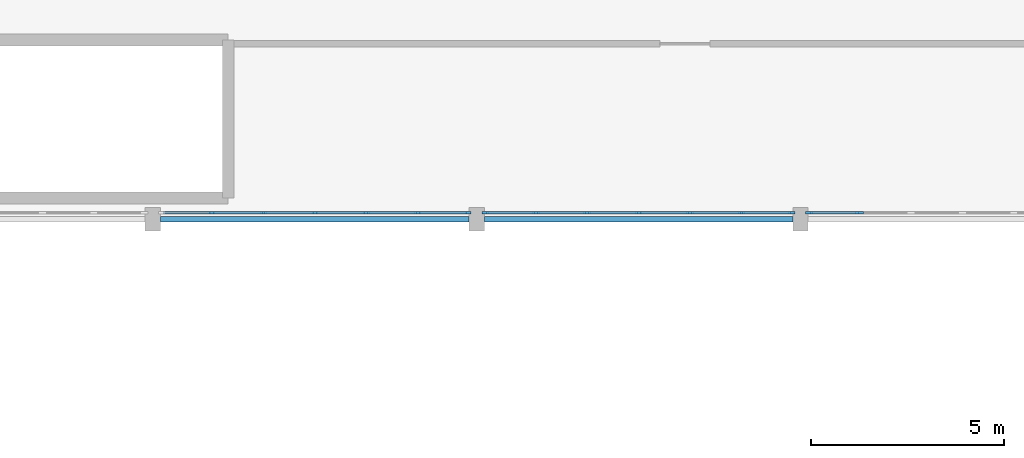
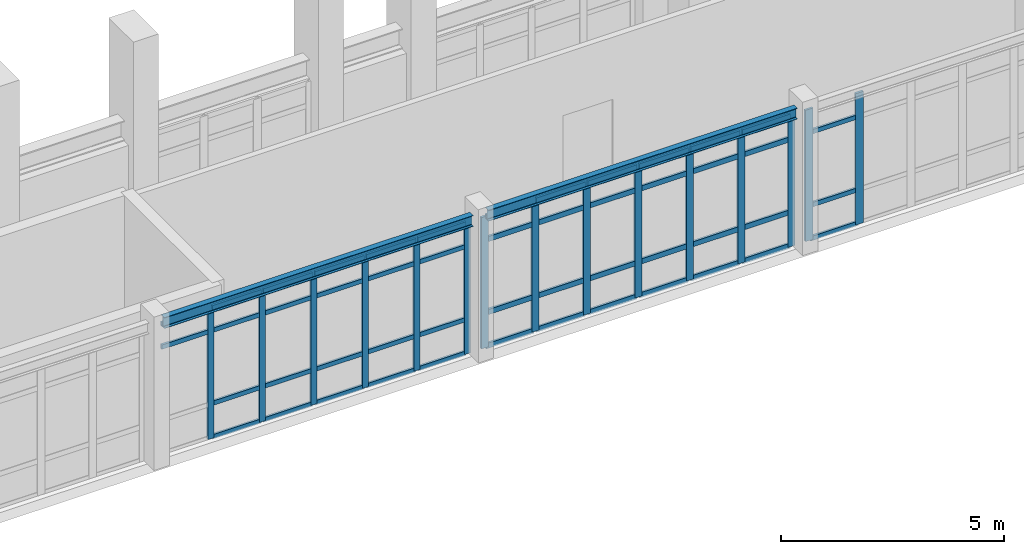
# One storey, part 81 of 147: 64 members, 2 beams, 3 elements without a shape of their own.
"""IFC4 building model written with IfcOpenShell, lengths in metres."""

from ifc_helpers import new_model, si_unit, direction, frame, origin, origin_2d, place, context, subcontext, project, spatial, rectangle, i_section, extrude, material, material_profile, profile_set, type_object, element, aggregate, save


model = new_model("IFC4")

# Units and contexts
model_context = context("Model", 3, precision=1e-05, world=origin(), true_north=direction((0.0, 1.0)))
body_context = subcontext(model_context, "Body", "Model", "MODEL_VIEW")
ifc_project = project(units=[si_unit("LENGTHUNIT", "METRE"), si_unit("AREAUNIT", "SQUARE_METRE"), si_unit("VOLUMEUNIT", "CUBIC_METRE"), si_unit("PLANEANGLEUNIT", "RADIAN"), si_unit("MASSUNIT", "GRAM", prefix="KILO")], contexts=[model_context])

# Site, building, storey
site_placement = place(None, origin())
site = spatial("IfcSite", under=ifc_project, at=site_placement, CompositionType="ELEMENT")
building_placement = place(site_placement, origin())
building = spatial("IfcBuilding", under=site, at=building_placement, Name="Malvenik Polytechnic", CompositionType="ELEMENT")
storey_placement = place(building_placement, frame((0.0, 0.0, 5.10009765625)))
storey = spatial("IfcBuildingStorey", under=building, at=storey_placement, Name="L01", CompositionType="ELEMENT", Elevation=5.10009765625)

# Curtain wall, members
ifc_material_1 = material(Name="Anodised aluminium 6060-T6", Category="aluminium")
curtain_wall_type = type_object("IfcCurtainWallType", Name="ARC-CW-CW-02", PredefinedType="NOTDEFINED", material=ifc_material_1)
curtain_wall_1_placement = place(storey_placement, origin())
curtain_wall_1 = element("IfcCurtainWall", 1, at=curtain_wall_1_placement, inside=storey, type_object=curtain_wall_type, Name="Unitised Curtain Wall CW-02 L01 #107", PredefinedType="NOTDEFINED")
ifc_material_2 = material(Name="Anodised aluminium", Category="aluminium")
ifc_material_profile_1 = material_profile(ifc_material_2, rectangle(XDim=0.06005859375, YDim=0.159912109375, at=origin_2d()), Name="ALU MULLION 60x160")
ifc_profile_set_1 = profile_set([ifc_material_profile_1], Name="Anodised aluminium")
member_type_1 = type_object("IfcMemberType", Name="ARC-CWM-160", PredefinedType="MULLION", material=ifc_profile_set_1)
member_1_placement = place(storey_placement, frame((167.77197265625, 28.969970703125, 0.0), z_axis=(0.0, 0.0, 1.0), x_axis=(0.0, -1.0, 0.0)))
member_1 = element("IfcMember", 2, at=member_1_placement, type_object=member_type_1, Name="CW-02 mullion 1", PredefinedType="MULLION", context=body_context, shape_type="SweptSolid", body=[
    extrude(rectangle(XDim=0.06005859375, YDim=0.159912109375, at=origin_2d()), origin(), (0.0, 0.0, 1.0), 3.597900390625),
])
member_2_placement = place(storey_placement, frame((166.468017578125, 28.969970703125, 0.0), z_axis=(0.0, 0.0, 1.0), x_axis=(0.0, -1.0, 0.0)))
member_2 = element("IfcMember", 3, at=member_2_placement, type_object=member_type_1, Name="CW-02 mullion 2", PredefinedType="MULLION", context=body_context, shape_type="SweptSolid", body=[
    extrude(rectangle(XDim=0.06005859375, YDim=0.159912109375, at=origin_2d()), origin(), (0.0, 0.0, 1.0), 3.597900390625),
])
member_3_placement = place(storey_placement, frame((165.134033203125, 28.969970703125, 0.0), z_axis=(0.0, 0.0, 1.0), x_axis=(0.0, -1.0, 0.0)))
member_3 = element("IfcMember", 4, at=member_3_placement, type_object=member_type_1, Name="CW-02 mullion 3", PredefinedType="MULLION", context=body_context, shape_type="SweptSolid", body=[
    extrude(rectangle(XDim=0.06005859375, YDim=0.159912109375, at=origin_2d()), origin(), (0.0, 0.0, 1.0), 3.597900390625),
])
member_4_placement = place(storey_placement, frame((163.800048828125, 28.969970703125, 0.0), z_axis=(0.0, 0.0, 1.0), x_axis=(0.0, -1.0, 0.0)))
member_4 = element("IfcMember", 5, at=member_4_placement, type_object=member_type_1, Name="CW-02 mullion 4", PredefinedType="MULLION", context=body_context, shape_type="SweptSolid", body=[
    extrude(rectangle(XDim=0.06005859375, YDim=0.159912109375, at=origin_2d()), origin(), (0.0, 0.0, 1.0), 3.597900390625),
])
member_5_placement = place(storey_placement, frame((162.466064453125, 28.969970703125, 0.0), z_axis=(0.0, 0.0, 1.0), x_axis=(0.0, -1.0, 0.0)))
member_5 = element("IfcMember", 6, at=member_5_placement, type_object=member_type_1, Name="CW-02 mullion 5", PredefinedType="MULLION", context=body_context, shape_type="SweptSolid", body=[
    extrude(rectangle(XDim=0.06005859375, YDim=0.159912109375, at=origin_2d()), origin(), (0.0, 0.0, 1.0), 3.597900390625),
])
member_6_placement = place(storey_placement, frame((161.132080078125, 28.969970703125, 0.0), z_axis=(0.0, 0.0, 1.0), x_axis=(0.0, -1.0, 0.0)))
member_6 = element("IfcMember", 7, at=member_6_placement, type_object=member_type_1, Name="CW-02 mullion 6", PredefinedType="MULLION", context=body_context, shape_type="SweptSolid", body=[
    extrude(rectangle(XDim=0.06005859375, YDim=0.159912109375, at=origin_2d()), origin(), (0.0, 0.0, 1.0), 3.597900390625),
])

curtain_wall_2_placement = place(storey_placement, origin())
curtain_wall_2 = element("IfcCurtainWall", 8, at=curtain_wall_2_placement, inside=storey, type_object=curtain_wall_type, Name="Unitised Curtain Wall CW-02 L01 #106", PredefinedType="NOTDEFINED")
ifc_material_profile_2 = material_profile(ifc_material_2, rectangle(XDim=0.06005859375, YDim=0.179931640625, at=origin_2d()), Name="ALU MULLION 60x180")
ifc_profile_set_2 = profile_set([ifc_material_profile_2], Name="Anodised aluminium")
member_type_2 = type_object("IfcMemberType", Name="ARC-CWM-180", PredefinedType="MULLION", material=ifc_profile_set_2)
member_7_placement = place(storey_placement, frame((176.172119140625, 28.969970703125, 0.0), z_axis=(0.0, 0.0, 1.0), x_axis=(0.0, -1.0, 0.0)))
member_7 = element("IfcMember", 9, at=member_7_placement, type_object=member_type_2, Name="CW-02 mullion 1", PredefinedType="MULLION", context=body_context, shape_type="SweptSolid", body=[
    extrude(rectangle(XDim=0.06005859375, YDim=0.179931640625, at=origin_2d()), origin(), (0.0, 0.0, 1.0), 3.597900390625),
])
member_8_placement = place(storey_placement, frame((174.867919921875, 28.969970703125, 0.0), z_axis=(0.0, 0.0, 1.0), x_axis=(0.0, -1.0, 0.0)))
member_8 = element("IfcMember", 10, at=member_8_placement, type_object=member_type_2, Name="CW-02 mullion 2", PredefinedType="MULLION", context=body_context, shape_type="SweptSolid", body=[
    extrude(rectangle(XDim=0.06005859375, YDim=0.179931640625, at=origin_2d()), origin(), (0.0, 0.0, 1.0), 3.597900390625),
])
member_9_placement = place(storey_placement, frame((173.533935546875, 28.969970703125, 0.0), z_axis=(0.0, 0.0, 1.0), x_axis=(0.0, -1.0, 0.0)))
member_9 = element("IfcMember", 11, at=member_9_placement, type_object=member_type_2, Name="CW-02 mullion 3", PredefinedType="MULLION", context=body_context, shape_type="SweptSolid", body=[
    extrude(rectangle(XDim=0.06005859375, YDim=0.179931640625, at=origin_2d()), origin(), (0.0, 0.0, 1.0), 3.597900390625),
])
member_10_placement = place(storey_placement, frame((172.199951171875, 28.969970703125, 0.0), z_axis=(0.0, 0.0, 1.0), x_axis=(0.0, -1.0, 0.0)))
member_10 = element("IfcMember", 12, at=member_10_placement, type_object=member_type_2, Name="CW-02 mullion 4", PredefinedType="MULLION", context=body_context, shape_type="SweptSolid", body=[
    extrude(rectangle(XDim=0.06005859375, YDim=0.179931640625, at=origin_2d()), origin(), (0.0, 0.0, 1.0), 3.597900390625),
])
member_11_placement = place(storey_placement, frame((170.865966796875, 28.969970703125, 0.0), z_axis=(0.0, 0.0, 1.0), x_axis=(0.0, -1.0, 0.0)))
member_11 = element("IfcMember", 13, at=member_11_placement, type_object=member_type_2, Name="CW-02 mullion 5", PredefinedType="MULLION", context=body_context, shape_type="SweptSolid", body=[
    extrude(rectangle(XDim=0.06005859375, YDim=0.179931640625, at=origin_2d()), origin(), (0.0, 0.0, 1.0), 3.597900390625),
])
member_12_placement = place(storey_placement, frame((169.531982421875, 28.969970703125, 0.0), z_axis=(0.0, 0.0, 1.0), x_axis=(0.0, -1.0, 0.0)))
member_12 = element("IfcMember", 14, at=member_12_placement, type_object=member_type_2, Name="CW-02 mullion 6", PredefinedType="MULLION", context=body_context, shape_type="SweptSolid", body=[
    extrude(rectangle(XDim=0.06005859375, YDim=0.179931640625, at=origin_2d()), origin(), (0.0, 0.0, 1.0), 3.597900390625),
])
member_13_placement = place(storey_placement, frame((168.22802734375, 28.969970703125, 0.0), z_axis=(0.0, 0.0, 1.0), x_axis=(0.0, -1.0, 0.0)))
member_13 = element("IfcMember", 15, at=member_13_placement, type_object=member_type_2, Name="CW-02 mullion 7", PredefinedType="MULLION", context=body_context, shape_type="SweptSolid", body=[
    extrude(rectangle(XDim=0.06005859375, YDim=0.179931640625, at=origin_2d()), origin(), (0.0, 0.0, 1.0), 3.597900390625),
])

curtain_wall_3_placement = place(storey_placement, origin())
curtain_wall_3 = element("IfcCurtainWall", 16, at=curtain_wall_3_placement, inside=storey, type_object=curtain_wall_type, Name="Unitised Curtain Wall CW-02 L01 #105", PredefinedType="NOTDEFINED")
ifc_material_profile_3 = material_profile(ifc_material_2, rectangle(XDim=0.06005859375, YDim=0.199951171875, at=origin_2d()), Name="ALU MULLION 60x200")
ifc_profile_set_3 = profile_set([ifc_material_profile_3], Name="Anodised aluminium")
member_type_3 = type_object("IfcMemberType", Name="ARC-CWM-200", PredefinedType="MULLION", material=ifc_profile_set_3)
member_14_placement = place(storey_placement, frame((177.931884765625, 28.969970703125, 0.0), z_axis=(0.0, 0.0, 1.0), x_axis=(0.0, -1.0, 0.0)))
member_14 = element("IfcMember", 17, at=member_14_placement, type_object=member_type_3, Name="CW-02 mullion 6", PredefinedType="MULLION", context=body_context, shape_type="SweptSolid", body=[
    extrude(rectangle(XDim=0.06005859375, YDim=0.199951171875, at=origin_2d()), origin(), (0.0, 0.0, 1.0), 3.597900390625),
])
member_15_placement = place(storey_placement, frame((176.6279296875, 28.969970703125, 0.0), z_axis=(0.0, 0.0, 1.0), x_axis=(0.0, -1.0, 0.0)))
member_15 = element("IfcMember", 18, at=member_15_placement, type_object=member_type_3, Name="CW-02 mullion 7", PredefinedType="MULLION", context=body_context, shape_type="SweptSolid", body=[
    extrude(rectangle(XDim=0.06005859375, YDim=0.199951171875, at=origin_2d()), origin(), (0.0, 0.0, 1.0), 3.597900390625),
])
ifc_material_profile_4 = material_profile(ifc_material_2, rectangle(XDim=0.06005859375, YDim=0.1201171875, at=origin_2d()), Name="ALU TRANSOM 60x120")
ifc_profile_set_4 = profile_set([ifc_material_profile_4], Name="Anodised aluminium")
member_type_4 = type_object("IfcMemberType", Name="ARC-CWT-120", PredefinedType="USERDEFINED", material=ifc_profile_set_4)
member_16_placement = place(storey_placement, frame((177.902099609375, 28.969970703125, 0.02978515625), z_axis=(-1.0, 0.0, 0.0), x_axis=(0.0, -1.0, 0.0)))
member_16 = element("IfcMember", 19, at=member_16_placement, type_object=member_type_4, Name="CW-02 transom 6.1", ObjectType="TRANSOM", PredefinedType="USERDEFINED", context=body_context, shape_type="SweptSolid", body=[
    extrude(rectangle(XDim=0.06005859375, YDim=0.1201171875, at=origin_2d()), origin(), (0.0, 0.0, 1.0), 1.244140625),
])
member_17_placement = place(storey_placement, frame((177.902099609375, 28.969970703125, 0.949951171875), z_axis=(-1.0, 0.0, 0.0), x_axis=(0.0, -1.0, 0.0)))
member_17 = element("IfcMember", 20, at=member_17_placement, type_object=member_type_4, Name="CW-02 transom 6.2", ObjectType="TRANSOM", PredefinedType="USERDEFINED", context=body_context, shape_type="SweptSolid", body=[
    extrude(rectangle(XDim=0.06005859375, YDim=0.1201171875, at=origin_2d()), origin(), (0.0, 0.0, 1.0), 1.244140625),
])
member_18_placement = place(storey_placement, frame((177.902099609375, 28.969970703125, 2.947998046875), z_axis=(-1.0, 0.0, 0.0), x_axis=(0.0, -1.0, 0.0)))
member_18 = element("IfcMember", 21, at=member_18_placement, type_object=member_type_4, Name="CW-02 transom 6.3", ObjectType="TRANSOM", PredefinedType="USERDEFINED", context=body_context, shape_type="SweptSolid", body=[
    extrude(rectangle(XDim=0.06005859375, YDim=0.1201171875, at=origin_2d()), origin(), (0.0, 0.0, 1.0), 1.244140625),
])
aggregate(curtain_wall_3, [member_14, member_15, member_16, member_17, member_18])

# Member
member_19_placement = place(storey_placement, frame((167.741943359375, 28.969970703125, 0.02978515625), z_axis=(-1.0, 0.0, 0.0), x_axis=(0.0, -1.0, 0.0)))
member_19 = element("IfcMember", 22, at=member_19_placement, type_object=member_type_4, Name="CW-02 transom 1.1", ObjectType="TRANSOM", PredefinedType="USERDEFINED", context=body_context, shape_type="SweptSolid", body=[
    extrude(rectangle(XDim=0.06005859375, YDim=0.1201171875, at=origin_2d()), origin(), (0.0, 0.0, 1.0), 1.243896484375),
])

member_20_placement = place(storey_placement, frame((167.741943359375, 28.969970703125, 0.949951171875), z_axis=(-1.0, 0.0, 0.0), x_axis=(0.0, -1.0, 0.0)))
member_20 = element("IfcMember", 23, at=member_20_placement, type_object=member_type_4, Name="CW-02 transom 1.2", ObjectType="TRANSOM", PredefinedType="USERDEFINED", context=body_context, shape_type="SweptSolid", body=[
    extrude(rectangle(XDim=0.06005859375, YDim=0.1201171875, at=origin_2d()), origin(), (0.0, 0.0, 1.0), 1.243896484375),
])

member_21_placement = place(storey_placement, frame((167.741943359375, 28.969970703125, 2.947998046875), z_axis=(-1.0, 0.0, 0.0), x_axis=(0.0, -1.0, 0.0)))
member_21 = element("IfcMember", 24, at=member_21_placement, type_object=member_type_4, Name="CW-02 transom 1.3", ObjectType="TRANSOM", PredefinedType="USERDEFINED", context=body_context, shape_type="SweptSolid", body=[
    extrude(rectangle(XDim=0.06005859375, YDim=0.1201171875, at=origin_2d()), origin(), (0.0, 0.0, 1.0), 1.243896484375),
])

member_22_placement = place(storey_placement, frame((167.741943359375, 28.969970703125, 3.56787109375), z_axis=(-1.0, 0.0, 0.0), x_axis=(0.0, -1.0, 0.0)))
member_22 = element("IfcMember", 25, at=member_22_placement, type_object=member_type_4, Name="CW-02 transom 1.4", ObjectType="TRANSOM", PredefinedType="USERDEFINED", context=body_context, shape_type="SweptSolid", body=[
    extrude(rectangle(XDim=0.06005859375, YDim=0.1201171875, at=origin_2d()), origin(), (0.0, 0.0, 1.0), 1.243896484375),
])

member_23_placement = place(storey_placement, frame((166.43798828125, 28.969970703125, 0.02978515625), z_axis=(-1.0, 0.0, 0.0), x_axis=(0.0, -1.0, 0.0)))
member_23 = element("IfcMember", 26, at=member_23_placement, type_object=member_type_4, Name="CW-02 transom 2.1", ObjectType="TRANSOM", PredefinedType="USERDEFINED", context=body_context, shape_type="SweptSolid", body=[
    extrude(rectangle(XDim=0.06005859375, YDim=0.1201171875, at=origin_2d()), origin(), (0.0, 0.0, 1.0), 1.27392578125),
])

member_24_placement = place(storey_placement, frame((166.43798828125, 28.969970703125, 0.949951171875), z_axis=(-1.0, 0.0, 0.0), x_axis=(0.0, -1.0, 0.0)))
member_24 = element("IfcMember", 27, at=member_24_placement, type_object=member_type_4, Name="CW-02 transom 2.2", ObjectType="TRANSOM", PredefinedType="USERDEFINED", context=body_context, shape_type="SweptSolid", body=[
    extrude(rectangle(XDim=0.06005859375, YDim=0.1201171875, at=origin_2d()), origin(), (0.0, 0.0, 1.0), 1.27392578125),
])

member_25_placement = place(storey_placement, frame((166.43798828125, 28.969970703125, 2.947998046875), z_axis=(-1.0, 0.0, 0.0), x_axis=(0.0, -1.0, 0.0)))
member_25 = element("IfcMember", 28, at=member_25_placement, type_object=member_type_4, Name="CW-02 transom 2.3", ObjectType="TRANSOM", PredefinedType="USERDEFINED", context=body_context, shape_type="SweptSolid", body=[
    extrude(rectangle(XDim=0.06005859375, YDim=0.1201171875, at=origin_2d()), origin(), (0.0, 0.0, 1.0), 1.27392578125),
])

member_26_placement = place(storey_placement, frame((166.43798828125, 28.969970703125, 3.56787109375), z_axis=(-1.0, 0.0, 0.0), x_axis=(0.0, -1.0, 0.0)))
member_26 = element("IfcMember", 29, at=member_26_placement, type_object=member_type_4, Name="CW-02 transom 2.4", ObjectType="TRANSOM", PredefinedType="USERDEFINED", context=body_context, shape_type="SweptSolid", body=[
    extrude(rectangle(XDim=0.06005859375, YDim=0.1201171875, at=origin_2d()), origin(), (0.0, 0.0, 1.0), 1.27392578125),
])

member_27_placement = place(storey_placement, frame((165.10400390625, 28.969970703125, 0.02978515625), z_axis=(-1.0, 0.0, 0.0), x_axis=(0.0, -1.0, 0.0)))
member_27 = element("IfcMember", 30, at=member_27_placement, type_object=member_type_4, Name="CW-02 transom 3.1", ObjectType="TRANSOM", PredefinedType="USERDEFINED", context=body_context, shape_type="SweptSolid", body=[
    extrude(rectangle(XDim=0.06005859375, YDim=0.1201171875, at=origin_2d()), origin(), (0.0, 0.0, 1.0), 1.27392578125),
])

member_28_placement = place(storey_placement, frame((165.10400390625, 28.969970703125, 0.949951171875), z_axis=(-1.0, 0.0, 0.0), x_axis=(0.0, -1.0, 0.0)))
member_28 = element("IfcMember", 31, at=member_28_placement, type_object=member_type_4, Name="CW-02 transom 3.2", ObjectType="TRANSOM", PredefinedType="USERDEFINED", context=body_context, shape_type="SweptSolid", body=[
    extrude(rectangle(XDim=0.06005859375, YDim=0.1201171875, at=origin_2d()), origin(), (0.0, 0.0, 1.0), 1.27392578125),
])

member_29_placement = place(storey_placement, frame((165.10400390625, 28.969970703125, 2.947998046875), z_axis=(-1.0, 0.0, 0.0), x_axis=(0.0, -1.0, 0.0)))
member_29 = element("IfcMember", 32, at=member_29_placement, type_object=member_type_4, Name="CW-02 transom 3.3", ObjectType="TRANSOM", PredefinedType="USERDEFINED", context=body_context, shape_type="SweptSolid", body=[
    extrude(rectangle(XDim=0.06005859375, YDim=0.1201171875, at=origin_2d()), origin(), (0.0, 0.0, 1.0), 1.27392578125),
])

member_30_placement = place(storey_placement, frame((165.10400390625, 28.969970703125, 3.56787109375), z_axis=(-1.0, 0.0, 0.0), x_axis=(0.0, -1.0, 0.0)))
member_30 = element("IfcMember", 33, at=member_30_placement, type_object=member_type_4, Name="CW-02 transom 3.4", ObjectType="TRANSOM", PredefinedType="USERDEFINED", context=body_context, shape_type="SweptSolid", body=[
    extrude(rectangle(XDim=0.06005859375, YDim=0.1201171875, at=origin_2d()), origin(), (0.0, 0.0, 1.0), 1.27392578125),
])

member_31_placement = place(storey_placement, frame((163.77001953125, 28.969970703125, 0.02978515625), z_axis=(-1.0, 0.0, 0.0), x_axis=(0.0, -1.0, 0.0)))
member_31 = element("IfcMember", 34, at=member_31_placement, type_object=member_type_4, Name="CW-02 transom 4.1", ObjectType="TRANSOM", PredefinedType="USERDEFINED", context=body_context, shape_type="SweptSolid", body=[
    extrude(rectangle(XDim=0.06005859375, YDim=0.1201171875, at=origin_2d()), origin(), (0.0, 0.0, 1.0), 1.27392578125),
])

member_32_placement = place(storey_placement, frame((163.77001953125, 28.969970703125, 0.949951171875), z_axis=(-1.0, 0.0, 0.0), x_axis=(0.0, -1.0, 0.0)))
member_32 = element("IfcMember", 35, at=member_32_placement, type_object=member_type_4, Name="CW-02 transom 4.2", ObjectType="TRANSOM", PredefinedType="USERDEFINED", context=body_context, shape_type="SweptSolid", body=[
    extrude(rectangle(XDim=0.06005859375, YDim=0.1201171875, at=origin_2d()), origin(), (0.0, 0.0, 1.0), 1.27392578125),
])

member_33_placement = place(storey_placement, frame((163.77001953125, 28.969970703125, 2.947998046875), z_axis=(-1.0, 0.0, 0.0), x_axis=(0.0, -1.0, 0.0)))
member_33 = element("IfcMember", 36, at=member_33_placement, type_object=member_type_4, Name="CW-02 transom 4.3", ObjectType="TRANSOM", PredefinedType="USERDEFINED", context=body_context, shape_type="SweptSolid", body=[
    extrude(rectangle(XDim=0.06005859375, YDim=0.1201171875, at=origin_2d()), origin(), (0.0, 0.0, 1.0), 1.27392578125),
])

member_34_placement = place(storey_placement, frame((163.77001953125, 28.969970703125, 3.56787109375), z_axis=(-1.0, 0.0, 0.0), x_axis=(0.0, -1.0, 0.0)))
member_34 = element("IfcMember", 37, at=member_34_placement, type_object=member_type_4, Name="CW-02 transom 4.4", ObjectType="TRANSOM", PredefinedType="USERDEFINED", context=body_context, shape_type="SweptSolid", body=[
    extrude(rectangle(XDim=0.06005859375, YDim=0.1201171875, at=origin_2d()), origin(), (0.0, 0.0, 1.0), 1.27392578125),
])

member_35_placement = place(storey_placement, frame((162.43603515625, 28.969970703125, 0.02978515625), z_axis=(-1.0, 0.0, 0.0), x_axis=(0.0, -1.0, 0.0)))
member_35 = element("IfcMember", 38, at=member_35_placement, type_object=member_type_4, Name="CW-02 transom 5.1", ObjectType="TRANSOM", PredefinedType="USERDEFINED", context=body_context, shape_type="SweptSolid", body=[
    extrude(rectangle(XDim=0.06005859375, YDim=0.1201171875, at=origin_2d()), origin(), (0.0, 0.0, 1.0), 1.27392578125),
])

member_36_placement = place(storey_placement, frame((162.43603515625, 28.969970703125, 0.949951171875), z_axis=(-1.0, 0.0, 0.0), x_axis=(0.0, -1.0, 0.0)))
member_36 = element("IfcMember", 39, at=member_36_placement, type_object=member_type_4, Name="CW-02 transom 5.2", ObjectType="TRANSOM", PredefinedType="USERDEFINED", context=body_context, shape_type="SweptSolid", body=[
    extrude(rectangle(XDim=0.06005859375, YDim=0.1201171875, at=origin_2d()), origin(), (0.0, 0.0, 1.0), 1.27392578125),
])

member_37_placement = place(storey_placement, frame((162.43603515625, 28.969970703125, 2.947998046875), z_axis=(-1.0, 0.0, 0.0), x_axis=(0.0, -1.0, 0.0)))
member_37 = element("IfcMember", 40, at=member_37_placement, type_object=member_type_4, Name="CW-02 transom 5.3", ObjectType="TRANSOM", PredefinedType="USERDEFINED", context=body_context, shape_type="SweptSolid", body=[
    extrude(rectangle(XDim=0.06005859375, YDim=0.1201171875, at=origin_2d()), origin(), (0.0, 0.0, 1.0), 1.27392578125),
])

member_38_placement = place(storey_placement, frame((162.43603515625, 28.969970703125, 3.56787109375), z_axis=(-1.0, 0.0, 0.0), x_axis=(0.0, -1.0, 0.0)))
member_38 = element("IfcMember", 41, at=member_38_placement, type_object=member_type_4, Name="CW-02 transom 5.4", ObjectType="TRANSOM", PredefinedType="USERDEFINED", context=body_context, shape_type="SweptSolid", body=[
    extrude(rectangle(XDim=0.06005859375, YDim=0.1201171875, at=origin_2d()), origin(), (0.0, 0.0, 1.0), 1.27392578125),
])

member_39_placement = place(storey_placement, frame((161.10205078125, 28.969970703125, 2.947998046875), z_axis=(-1.0, 0.0, 0.0), x_axis=(0.0, -1.0, 0.0)))
member_39 = element("IfcMember", 42, at=member_39_placement, type_object=member_type_4, Name="CW-02 transom 6.3", ObjectType="TRANSOM", PredefinedType="USERDEFINED", context=body_context, shape_type="SweptSolid", body=[
    extrude(rectangle(XDim=0.06005859375, YDim=0.1201171875, at=origin_2d()), origin(), (0.0, 0.0, 1.0), 1.244140625),
])

member_40_placement = place(storey_placement, frame((161.10205078125, 28.969970703125, 3.56787109375), z_axis=(-1.0, 0.0, 0.0), x_axis=(0.0, -1.0, 0.0)))
member_40 = element("IfcMember", 43, at=member_40_placement, type_object=member_type_4, Name="CW-02 transom 6.4", ObjectType="TRANSOM", PredefinedType="USERDEFINED", context=body_context, shape_type="SweptSolid", body=[
    extrude(rectangle(XDim=0.06005859375, YDim=0.1201171875, at=origin_2d()), origin(), (0.0, 0.0, 1.0), 1.244140625),
])

aggregate(curtain_wall_1, [member_1, member_2, member_3, member_4, member_5, member_6, member_19, member_20, member_21, member_22, member_23, member_24, member_25, member_26, member_27, member_28, member_29, member_30, member_31, member_32, member_33, member_34, member_35, member_36, member_37, member_38, member_39, member_40])

ifc_material_profile_5 = material_profile(ifc_material_2, rectangle(XDim=0.06005859375, YDim=0.139892578125, at=origin_2d()), Name="ALU TRANSOM 60x140")
ifc_profile_set_5 = profile_set([ifc_material_profile_5], Name="Anodised aluminium")
member_type_5 = type_object("IfcMemberType", Name="ARC-CWT-140", PredefinedType="USERDEFINED", material=ifc_profile_set_5)
member_41_placement = place(storey_placement, frame((176.14208984375, 28.969970703125, 0.02978515625), z_axis=(-1.0, 0.0, 0.0), x_axis=(0.0, -1.0, 0.0)))
member_41 = element("IfcMember", 44, at=member_41_placement, type_object=member_type_5, Name="CW-02 transom 1.1", ObjectType="TRANSOM", PredefinedType="USERDEFINED", context=body_context, shape_type="SweptSolid", body=[
    extrude(rectangle(XDim=0.06005859375, YDim=0.139892578125, at=origin_2d()), origin(), (0.0, 0.0, 1.0), 1.244140625),
])

member_42_placement = place(storey_placement, frame((176.14208984375, 28.969970703125, 0.949951171875), z_axis=(-1.0, 0.0, 0.0), x_axis=(0.0, -1.0, 0.0)))
member_42 = element("IfcMember", 45, at=member_42_placement, type_object=member_type_5, Name="CW-02 transom 1.2", ObjectType="TRANSOM", PredefinedType="USERDEFINED", context=body_context, shape_type="SweptSolid", body=[
    extrude(rectangle(XDim=0.06005859375, YDim=0.139892578125, at=origin_2d()), origin(), (0.0, 0.0, 1.0), 1.244140625),
])

member_43_placement = place(storey_placement, frame((176.14208984375, 28.969970703125, 2.947998046875), z_axis=(-1.0, 0.0, 0.0), x_axis=(0.0, -1.0, 0.0)))
member_43 = element("IfcMember", 46, at=member_43_placement, type_object=member_type_5, Name="CW-02 transom 1.3", ObjectType="TRANSOM", PredefinedType="USERDEFINED", context=body_context, shape_type="SweptSolid", body=[
    extrude(rectangle(XDim=0.06005859375, YDim=0.139892578125, at=origin_2d()), origin(), (0.0, 0.0, 1.0), 1.244140625),
])

member_44_placement = place(storey_placement, frame((176.14208984375, 28.969970703125, 3.56787109375), z_axis=(-1.0, 0.0, 0.0), x_axis=(0.0, -1.0, 0.0)))
member_44 = element("IfcMember", 47, at=member_44_placement, type_object=member_type_5, Name="CW-02 transom 1.4", ObjectType="TRANSOM", PredefinedType="USERDEFINED", context=body_context, shape_type="SweptSolid", body=[
    extrude(rectangle(XDim=0.06005859375, YDim=0.139892578125, at=origin_2d()), origin(), (0.0, 0.0, 1.0), 1.244140625),
])

member_45_placement = place(storey_placement, frame((174.837890625, 28.969970703125, 0.02978515625), z_axis=(-1.0, 0.0, 0.0), x_axis=(0.0, -1.0, 0.0)))
member_45 = element("IfcMember", 48, at=member_45_placement, type_object=member_type_5, Name="CW-02 transom 2.1", ObjectType="TRANSOM", PredefinedType="USERDEFINED", context=body_context, shape_type="SweptSolid", body=[
    extrude(rectangle(XDim=0.06005859375, YDim=0.139892578125, at=origin_2d()), origin(), (0.0, 0.0, 1.0), 1.27392578125),
])

member_46_placement = place(storey_placement, frame((174.837890625, 28.969970703125, 0.949951171875), z_axis=(-1.0, 0.0, 0.0), x_axis=(0.0, -1.0, 0.0)))
member_46 = element("IfcMember", 49, at=member_46_placement, type_object=member_type_5, Name="CW-02 transom 2.2", ObjectType="TRANSOM", PredefinedType="USERDEFINED", context=body_context, shape_type="SweptSolid", body=[
    extrude(rectangle(XDim=0.06005859375, YDim=0.139892578125, at=origin_2d()), origin(), (0.0, 0.0, 1.0), 1.27392578125),
])

member_47_placement = place(storey_placement, frame((174.837890625, 28.969970703125, 2.947998046875), z_axis=(-1.0, 0.0, 0.0), x_axis=(0.0, -1.0, 0.0)))
member_47 = element("IfcMember", 50, at=member_47_placement, type_object=member_type_5, Name="CW-02 transom 2.3", ObjectType="TRANSOM", PredefinedType="USERDEFINED", context=body_context, shape_type="SweptSolid", body=[
    extrude(rectangle(XDim=0.06005859375, YDim=0.139892578125, at=origin_2d()), origin(), (0.0, 0.0, 1.0), 1.27392578125),
])

member_48_placement = place(storey_placement, frame((174.837890625, 28.969970703125, 3.56787109375), z_axis=(-1.0, 0.0, 0.0), x_axis=(0.0, -1.0, 0.0)))
member_48 = element("IfcMember", 51, at=member_48_placement, type_object=member_type_5, Name="CW-02 transom 2.4", ObjectType="TRANSOM", PredefinedType="USERDEFINED", context=body_context, shape_type="SweptSolid", body=[
    extrude(rectangle(XDim=0.06005859375, YDim=0.139892578125, at=origin_2d()), origin(), (0.0, 0.0, 1.0), 1.27392578125),
])

member_49_placement = place(storey_placement, frame((173.50390625, 28.969970703125, 0.02978515625), z_axis=(-1.0, 0.0, 0.0), x_axis=(0.0, -1.0, 0.0)))
member_49 = element("IfcMember", 52, at=member_49_placement, type_object=member_type_5, Name="CW-02 transom 3.1", ObjectType="TRANSOM", PredefinedType="USERDEFINED", context=body_context, shape_type="SweptSolid", body=[
    extrude(rectangle(XDim=0.06005859375, YDim=0.139892578125, at=origin_2d()), origin(), (0.0, 0.0, 1.0), 1.27392578125),
])

member_50_placement = place(storey_placement, frame((173.50390625, 28.969970703125, 0.949951171875), z_axis=(-1.0, 0.0, 0.0), x_axis=(0.0, -1.0, 0.0)))
member_50 = element("IfcMember", 53, at=member_50_placement, type_object=member_type_5, Name="CW-02 transom 3.2", ObjectType="TRANSOM", PredefinedType="USERDEFINED", context=body_context, shape_type="SweptSolid", body=[
    extrude(rectangle(XDim=0.06005859375, YDim=0.139892578125, at=origin_2d()), origin(), (0.0, 0.0, 1.0), 1.27392578125),
])

member_51_placement = place(storey_placement, frame((173.50390625, 28.969970703125, 2.947998046875), z_axis=(-1.0, 0.0, 0.0), x_axis=(0.0, -1.0, 0.0)))
member_51 = element("IfcMember", 54, at=member_51_placement, type_object=member_type_5, Name="CW-02 transom 3.3", ObjectType="TRANSOM", PredefinedType="USERDEFINED", context=body_context, shape_type="SweptSolid", body=[
    extrude(rectangle(XDim=0.06005859375, YDim=0.139892578125, at=origin_2d()), origin(), (0.0, 0.0, 1.0), 1.27392578125),
])

member_52_placement = place(storey_placement, frame((173.50390625, 28.969970703125, 3.56787109375), z_axis=(-1.0, 0.0, 0.0), x_axis=(0.0, -1.0, 0.0)))
member_52 = element("IfcMember", 55, at=member_52_placement, type_object=member_type_5, Name="CW-02 transom 3.4", ObjectType="TRANSOM", PredefinedType="USERDEFINED", context=body_context, shape_type="SweptSolid", body=[
    extrude(rectangle(XDim=0.06005859375, YDim=0.139892578125, at=origin_2d()), origin(), (0.0, 0.0, 1.0), 1.27392578125),
])

member_53_placement = place(storey_placement, frame((172.169921875, 28.969970703125, 0.02978515625), z_axis=(-1.0, 0.0, 0.0), x_axis=(0.0, -1.0, 0.0)))
member_53 = element("IfcMember", 56, at=member_53_placement, type_object=member_type_5, Name="CW-02 transom 4.1", ObjectType="TRANSOM", PredefinedType="USERDEFINED", context=body_context, shape_type="SweptSolid", body=[
    extrude(rectangle(XDim=0.06005859375, YDim=0.139892578125, at=origin_2d()), origin(), (0.0, 0.0, 1.0), 1.27392578125),
])

member_54_placement = place(storey_placement, frame((172.169921875, 28.969970703125, 0.949951171875), z_axis=(-1.0, 0.0, 0.0), x_axis=(0.0, -1.0, 0.0)))
member_54 = element("IfcMember", 57, at=member_54_placement, type_object=member_type_5, Name="CW-02 transom 4.2", ObjectType="TRANSOM", PredefinedType="USERDEFINED", context=body_context, shape_type="SweptSolid", body=[
    extrude(rectangle(XDim=0.06005859375, YDim=0.139892578125, at=origin_2d()), origin(), (0.0, 0.0, 1.0), 1.27392578125),
])

member_55_placement = place(storey_placement, frame((172.169921875, 28.969970703125, 2.947998046875), z_axis=(-1.0, 0.0, 0.0), x_axis=(0.0, -1.0, 0.0)))
member_55 = element("IfcMember", 58, at=member_55_placement, type_object=member_type_5, Name="CW-02 transom 4.3", ObjectType="TRANSOM", PredefinedType="USERDEFINED", context=body_context, shape_type="SweptSolid", body=[
    extrude(rectangle(XDim=0.06005859375, YDim=0.139892578125, at=origin_2d()), origin(), (0.0, 0.0, 1.0), 1.27392578125),
])

member_56_placement = place(storey_placement, frame((172.169921875, 28.969970703125, 3.56787109375), z_axis=(-1.0, 0.0, 0.0), x_axis=(0.0, -1.0, 0.0)))
member_56 = element("IfcMember", 59, at=member_56_placement, type_object=member_type_5, Name="CW-02 transom 4.4", ObjectType="TRANSOM", PredefinedType="USERDEFINED", context=body_context, shape_type="SweptSolid", body=[
    extrude(rectangle(XDim=0.06005859375, YDim=0.139892578125, at=origin_2d()), origin(), (0.0, 0.0, 1.0), 1.27392578125),
])

member_57_placement = place(storey_placement, frame((170.8359375, 28.969970703125, 0.02978515625), z_axis=(-1.0, 0.0, 0.0), x_axis=(0.0, -1.0, 0.0)))
member_57 = element("IfcMember", 60, at=member_57_placement, type_object=member_type_5, Name="CW-02 transom 5.1", ObjectType="TRANSOM", PredefinedType="USERDEFINED", context=body_context, shape_type="SweptSolid", body=[
    extrude(rectangle(XDim=0.06005859375, YDim=0.139892578125, at=origin_2d()), origin(), (0.0, 0.0, 1.0), 1.27392578125),
])

member_58_placement = place(storey_placement, frame((170.8359375, 28.969970703125, 0.949951171875), z_axis=(-1.0, 0.0, 0.0), x_axis=(0.0, -1.0, 0.0)))
member_58 = element("IfcMember", 61, at=member_58_placement, type_object=member_type_5, Name="CW-02 transom 5.2", ObjectType="TRANSOM", PredefinedType="USERDEFINED", context=body_context, shape_type="SweptSolid", body=[
    extrude(rectangle(XDim=0.06005859375, YDim=0.139892578125, at=origin_2d()), origin(), (0.0, 0.0, 1.0), 1.27392578125),
])

member_59_placement = place(storey_placement, frame((170.8359375, 28.969970703125, 2.947998046875), z_axis=(-1.0, 0.0, 0.0), x_axis=(0.0, -1.0, 0.0)))
member_59 = element("IfcMember", 62, at=member_59_placement, type_object=member_type_5, Name="CW-02 transom 5.3", ObjectType="TRANSOM", PredefinedType="USERDEFINED", context=body_context, shape_type="SweptSolid", body=[
    extrude(rectangle(XDim=0.06005859375, YDim=0.139892578125, at=origin_2d()), origin(), (0.0, 0.0, 1.0), 1.27392578125),
])

member_60_placement = place(storey_placement, frame((170.8359375, 28.969970703125, 3.56787109375), z_axis=(-1.0, 0.0, 0.0), x_axis=(0.0, -1.0, 0.0)))
member_60 = element("IfcMember", 63, at=member_60_placement, type_object=member_type_5, Name="CW-02 transom 5.4", ObjectType="TRANSOM", PredefinedType="USERDEFINED", context=body_context, shape_type="SweptSolid", body=[
    extrude(rectangle(XDim=0.06005859375, YDim=0.139892578125, at=origin_2d()), origin(), (0.0, 0.0, 1.0), 1.27392578125),
])

member_61_placement = place(storey_placement, frame((169.501953125, 28.969970703125, 0.02978515625), z_axis=(-1.0, 0.0, 0.0), x_axis=(0.0, -1.0, 0.0)))
member_61 = element("IfcMember", 64, at=member_61_placement, type_object=member_type_5, Name="CW-02 transom 6.1", ObjectType="TRANSOM", PredefinedType="USERDEFINED", context=body_context, shape_type="SweptSolid", body=[
    extrude(rectangle(XDim=0.06005859375, YDim=0.139892578125, at=origin_2d()), origin(), (0.0, 0.0, 1.0), 1.243896484375),
])

member_62_placement = place(storey_placement, frame((169.501953125, 28.969970703125, 0.949951171875), z_axis=(-1.0, 0.0, 0.0), x_axis=(0.0, -1.0, 0.0)))
member_62 = element("IfcMember", 65, at=member_62_placement, type_object=member_type_5, Name="CW-02 transom 6.2", ObjectType="TRANSOM", PredefinedType="USERDEFINED", context=body_context, shape_type="SweptSolid", body=[
    extrude(rectangle(XDim=0.06005859375, YDim=0.139892578125, at=origin_2d()), origin(), (0.0, 0.0, 1.0), 1.243896484375),
])

member_63_placement = place(storey_placement, frame((169.501953125, 28.969970703125, 2.947998046875), z_axis=(-1.0, 0.0, 0.0), x_axis=(0.0, -1.0, 0.0)))
member_63 = element("IfcMember", 66, at=member_63_placement, type_object=member_type_5, Name="CW-02 transom 6.3", ObjectType="TRANSOM", PredefinedType="USERDEFINED", context=body_context, shape_type="SweptSolid", body=[
    extrude(rectangle(XDim=0.06005859375, YDim=0.139892578125, at=origin_2d()), origin(), (0.0, 0.0, 1.0), 1.243896484375),
])

member_64_placement = place(storey_placement, frame((169.501953125, 28.969970703125, 3.56787109375), z_axis=(-1.0, 0.0, 0.0), x_axis=(0.0, -1.0, 0.0)))
member_64 = element("IfcMember", 67, at=member_64_placement, type_object=member_type_5, Name="CW-02 transom 6.4", ObjectType="TRANSOM", PredefinedType="USERDEFINED", context=body_context, shape_type="SweptSolid", body=[
    extrude(rectangle(XDim=0.06005859375, YDim=0.139892578125, at=origin_2d()), origin(), (0.0, 0.0, 1.0), 1.243896484375),
])

aggregate(curtain_wall_2, [member_7, member_8, member_9, member_10, member_11, member_12, member_13, member_41, member_42, member_43, member_44, member_45, member_46, member_47, member_48, member_49, member_50, member_51, member_52, member_53, member_54, member_55, member_56, member_57, member_58, member_59, member_60, member_61, member_62, member_63, member_64])

# Beams
ifc_material_3 = material(Name="Steel S355", Category="steel")
ifc_material_profile_6 = material_profile(ifc_material_3, i_section(OverallWidth=0.14990234375, OverallDepth=0.300048828125, WebThickness=0.007080078125, FlangeThickness=0.0107421875, FilletRadius=0.014892578125, at=origin_2d()), Name="IPE 300")
ifc_profile_set_6 = profile_set([ifc_material_profile_6], Name="Steel S355")
beam_type = type_object("IfcBeamType", Name="STR-BM-SB-09", PredefinedType="JOIST", material=ifc_profile_set_6)
for number, where, z_axis, x_axis, name in (
    (68, (159.798095703125, 28.800048828125, 3.7578125), (1.0, 0.0, 0.0), (0.0, 1.0, 0.0), "Beam SB-09 #4"),
    (69, (168.197998046875, 28.800048828125, 3.7578125), (1.0, 0.0, 0.0), (0.0, 1.0, 0.0), "Beam SB-09 #5"),
):
    element("IfcBeam", number, at=place(storey_placement, frame(where, z_axis=z_axis, x_axis=x_axis)), inside=storey, type_object=beam_type, Name=name, PredefinedType="JOIST", context=body_context, shape_type="SweptSolid", body=[
        extrude(i_section(OverallWidth=0.14990234375, OverallDepth=0.300048828125, WebThickness=0.007080078125, FlangeThickness=0.0107421875, FilletRadius=0.014892578125, at=origin_2d()), origin(), (0.0, 0.0, 1.0), 8.00390625),
    ])

save(model, "model.ifc")
